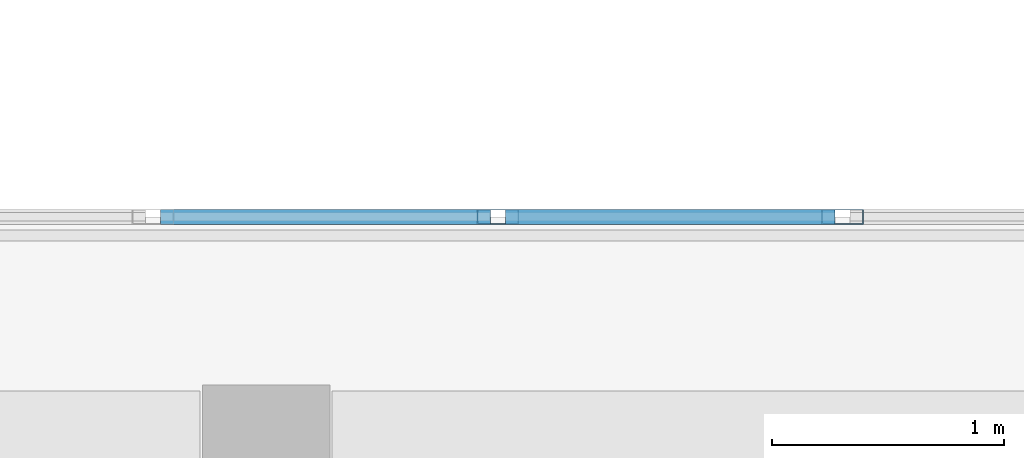
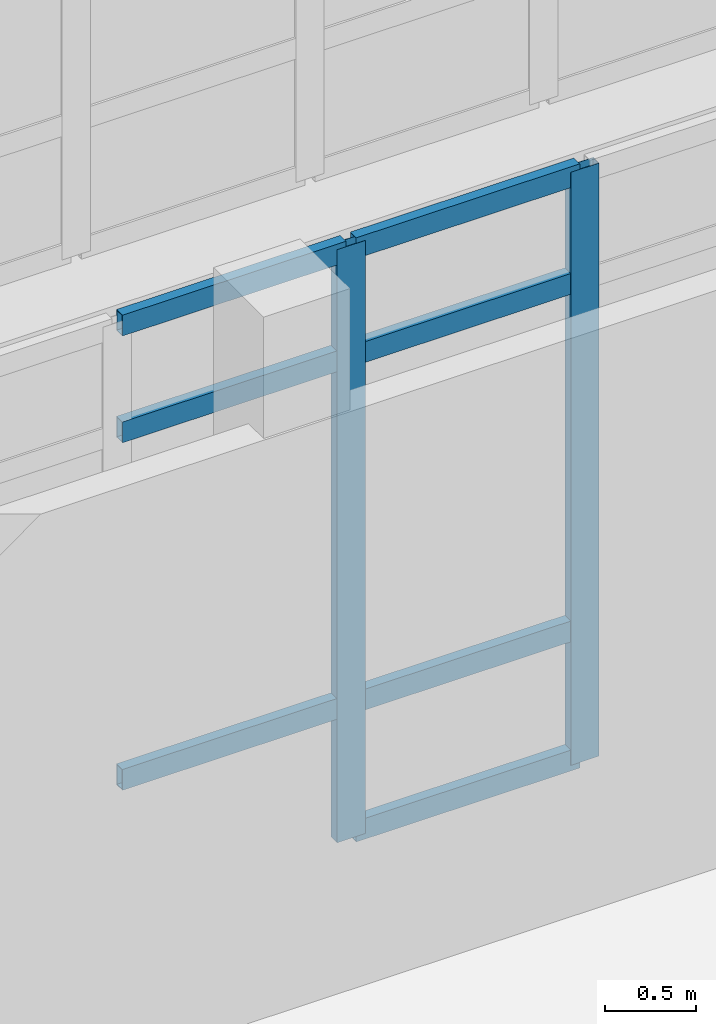
# One storey, part 86 of 173: 9 members, 1 element without a shape of its own.
"""IFC4 building model written with IfcOpenShell, lengths in metres."""

from ifc_helpers import new_model, si_unit, direction, frame, origin, origin_2d, place, context, subcontext, project, spatial, hollow_rectangle, extrude, material, layer, layer_set, material_profile, profile_set, type_object, element, aggregate, save


model = new_model("IFC4")

# Units and contexts
model_context = context("Model", 3, precision=1e-05, world=origin(), true_north=direction((0.0, 1.0)))
body_context = subcontext(model_context, "Body", "Model", "MODEL_VIEW")
ifc_project = project(units=[si_unit("LENGTHUNIT", "METRE"), si_unit("AREAUNIT", "SQUARE_METRE"), si_unit("VOLUMEUNIT", "CUBIC_METRE"), si_unit("PLANEANGLEUNIT", "RADIAN"), si_unit("MASSUNIT", "GRAM", prefix="KILO")], contexts=[model_context])

# Site, building, storey
site_placement = place(None, origin())
site = spatial("IfcSite", under=ifc_project, at=site_placement, CompositionType="ELEMENT")
building_placement = place(site_placement, origin())
building = spatial("IfcBuilding", under=site, at=building_placement, Name="Mawjan Specialist Oncology Clinic", CompositionType="ELEMENT")
storey_placement = place(building_placement, origin())
storey = spatial("IfcBuildingStorey", under=building, at=storey_placement, Name="L00", CompositionType="ELEMENT", Elevation=0.0)

# Curtain wall, members
ifc_material_1 = material(Name="Unitised spectrally selective aluminium curtain wall", Category="aluminium")
ifc_layer = layer(ifc_material_1, 0.179931640625, Name="Unitised spectrally selective aluminium curtain wall", Category="aluminium")
ifc_layer_set = layer_set([ifc_layer], Name="Unitised spectrally selective aluminium curtain wall")
curtain_wall_type = type_object("IfcCurtainWallType", Name="CW-33", PredefinedType="NOTDEFINED", material=ifc_layer_set)
curtain_wall_placement = place(storey_placement, origin())
curtain_wall = element("IfcCurtainWall", 1, at=curtain_wall_placement, inside=storey, type_object=curtain_wall_type, Name="L00 Unitised Curtain Wall CW-L00-074", PredefinedType="NOTDEFINED")
ifc_material_2 = material(Name="Thermally broken aluminium 6063-T6", Category="aluminium")
ifc_material_profile_1 = material_profile(ifc_material_2, hollow_rectangle(XDim=0.06494140625, YDim=0.179931640625, WallThickness=0.00390625, at=origin_2d()), Name="ALU MULLION 180x65x4", Category="aluminium")
ifc_profile_set_1 = profile_set([ifc_material_profile_1], Name="Thermally broken aluminium 6063-T6")
member_type_1 = type_object("IfcMemberType", Name="CW-M180", PredefinedType="MULLION", material=ifc_profile_set_1)
member_1_placement = place(storey_placement, frame((124.998779296875, 99.300048828125, 0.0), z_axis=(0.0, 0.0, 1.0), x_axis=(0.0, 1.0, 0.0)))
member_1 = element("IfcMember", 2, at=member_1_placement, type_object=member_type_1, Name="CW-33 mullion 9", PredefinedType="MULLION", context=body_context, shape_type="SweptSolid", body=[
    extrude(hollow_rectangle(XDim=0.06494140625, YDim=0.179931640625, WallThickness=0.00390625, at=origin_2d()), origin(), (0.0, 0.0, 1.0), 3.985107421875),
])
member_2_placement = place(storey_placement, frame((126.48486328125, 99.300048828125, 0.0), z_axis=(0.0, 0.0, 1.0), x_axis=(0.0, 1.0, 0.0)))
member_2 = element("IfcMember", 3, at=member_2_placement, type_object=member_type_1, Name="CW-33 mullion 10", PredefinedType="MULLION", context=body_context, shape_type="SweptSolid", body=[
    extrude(hollow_rectangle(XDim=0.06494140625, YDim=0.179931640625, WallThickness=0.00390625, at=origin_2d()), origin(), (0.0, 0.0, 1.0), 3.985107421875),
])
ifc_material_3 = material(Name="Thermally broken aluminium 6063-T6", Category="aluminium")
ifc_material_profile_2 = material_profile(ifc_material_3, hollow_rectangle(XDim=0.06494140625, YDim=0.139892578125, WallThickness=0.00390625, at=origin_2d()), Name="ALU TRANSOM 140x65x4", Category="aluminium")
ifc_profile_set_2 = profile_set([ifc_material_profile_2], Name="Thermally broken aluminium 6063-T6")
member_type_2 = type_object("IfcMemberType", Name="CW-T140", PredefinedType="USERDEFINED", material=ifc_profile_set_2)
member_3_placement = place(storey_placement, frame((123.545166015625, 99.300048828125, 0.89990234375), z_axis=(1.0, 0.0, 0.0), x_axis=(0.0, 1.0, 0.0)))
member_3 = element("IfcMember", 4, at=member_3_placement, type_object=member_type_2, Name="CW-33 transom 8.2", ObjectType="TRANSOM", PredefinedType="USERDEFINED", context=body_context, shape_type="SweptSolid", body=[
    extrude(hollow_rectangle(XDim=0.06494140625, YDim=0.139892578125, WallThickness=0.00390625, at=origin_2d()), origin(), (0.0, 0.0, 1.0), 1.421142578125),
])
member_4_placement = place(storey_placement, frame((123.545166015625, 99.300048828125, 3.235107421875), z_axis=(1.0, 0.0, 0.0), x_axis=(0.0, 1.0, 0.0)))
member_4 = element("IfcMember", 5, at=member_4_placement, type_object=member_type_2, Name="CW-33 transom 8.3", ObjectType="TRANSOM", PredefinedType="USERDEFINED", context=body_context, shape_type="SweptSolid", body=[
    extrude(hollow_rectangle(XDim=0.06494140625, YDim=0.139892578125, WallThickness=0.00390625, at=origin_2d()), origin(), (0.0, 0.0, 1.0), 1.421142578125),
])
member_5_placement = place(storey_placement, frame((123.545166015625, 99.300048828125, 3.952392578125), z_axis=(1.0, 0.0, 0.0), x_axis=(0.0, 1.0, 0.0)))
member_5 = element("IfcMember", 6, at=member_5_placement, type_object=member_type_2, Name="CW-33 transom 8.4", ObjectType="TRANSOM", PredefinedType="USERDEFINED", context=body_context, shape_type="SweptSolid", body=[
    extrude(hollow_rectangle(XDim=0.06494140625, YDim=0.139892578125, WallThickness=0.00390625, at=origin_2d()), origin(), (0.0, 0.0, 1.0), 1.421142578125),
])
member_6_placement = place(storey_placement, frame((125.03125, 99.300048828125, 0.032470703125), z_axis=(1.0, 0.0, 0.0), x_axis=(0.0, 1.0, 0.0)))
member_6 = element("IfcMember", 7, at=member_6_placement, type_object=member_type_2, Name="CW-33 transom 9.1", ObjectType="TRANSOM", PredefinedType="USERDEFINED", context=body_context, shape_type="SweptSolid", body=[
    extrude(hollow_rectangle(XDim=0.06494140625, YDim=0.139892578125, WallThickness=0.00390625, at=origin_2d()), origin(), (0.0, 0.0, 1.0), 1.421142578125),
])
member_7_placement = place(storey_placement, frame((125.03125, 99.300048828125, 0.89990234375), z_axis=(1.0, 0.0, 0.0), x_axis=(0.0, 1.0, 0.0)))
member_7 = element("IfcMember", 8, at=member_7_placement, type_object=member_type_2, Name="CW-33 transom 9.2", ObjectType="TRANSOM", PredefinedType="USERDEFINED", context=body_context, shape_type="SweptSolid", body=[
    extrude(hollow_rectangle(XDim=0.06494140625, YDim=0.139892578125, WallThickness=0.00390625, at=origin_2d()), origin(), (0.0, 0.0, 1.0), 1.421142578125),
])
member_8_placement = place(storey_placement, frame((125.03125, 99.300048828125, 3.235107421875), z_axis=(1.0, 0.0, 0.0), x_axis=(0.0, 1.0, 0.0)))
member_8 = element("IfcMember", 9, at=member_8_placement, type_object=member_type_2, Name="CW-33 transom 9.3", ObjectType="TRANSOM", PredefinedType="USERDEFINED", context=body_context, shape_type="SweptSolid", body=[
    extrude(hollow_rectangle(XDim=0.06494140625, YDim=0.139892578125, WallThickness=0.00390625, at=origin_2d()), origin(), (0.0, 0.0, 1.0), 1.421142578125),
])
member_9_placement = place(storey_placement, frame((125.03125, 99.300048828125, 3.952392578125), z_axis=(1.0, 0.0, 0.0), x_axis=(0.0, 1.0, 0.0)))
member_9 = element("IfcMember", 10, at=member_9_placement, type_object=member_type_2, Name="CW-33 transom 9.4", ObjectType="TRANSOM", PredefinedType="USERDEFINED", context=body_context, shape_type="SweptSolid", body=[
    extrude(hollow_rectangle(XDim=0.06494140625, YDim=0.139892578125, WallThickness=0.00390625, at=origin_2d()), origin(), (0.0, 0.0, 1.0), 1.421142578125),
])
aggregate(curtain_wall, [member_1, member_2, member_3, member_4, member_5, member_6, member_7, member_8, member_9])

save(model, "model.ifc")
